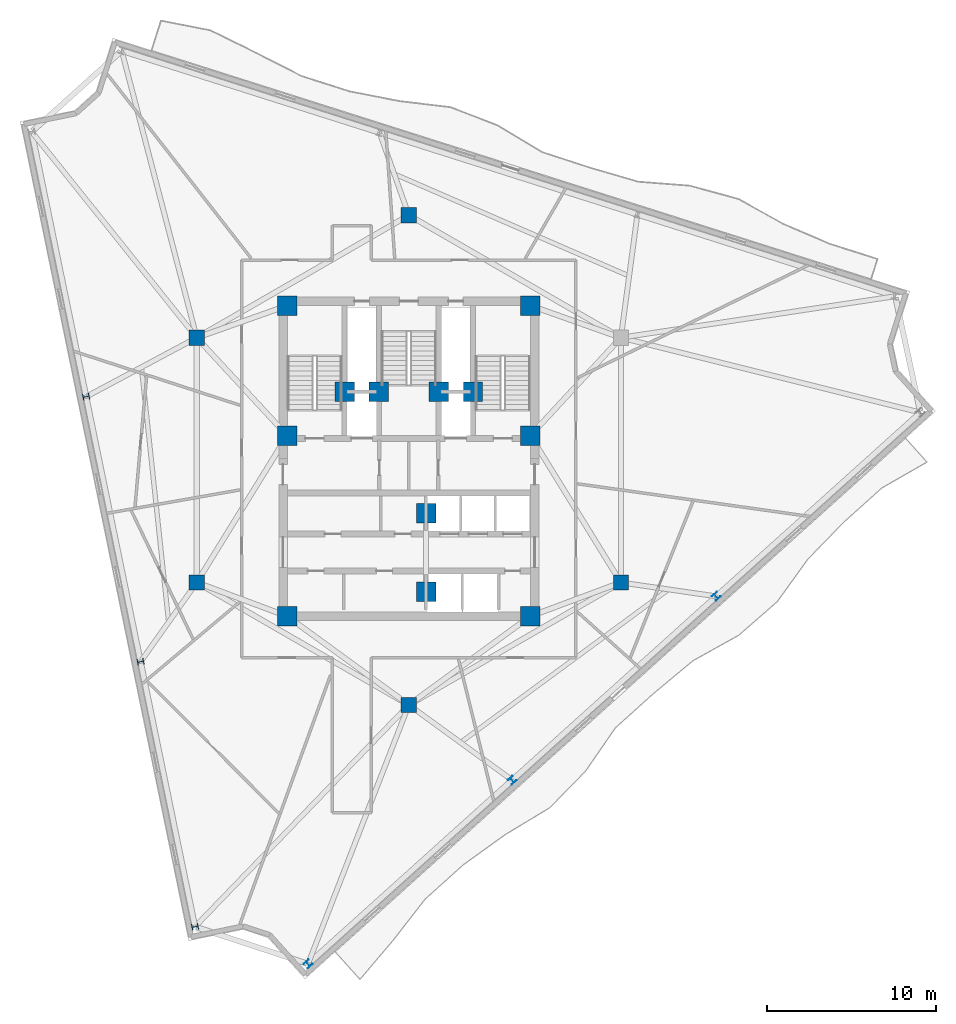
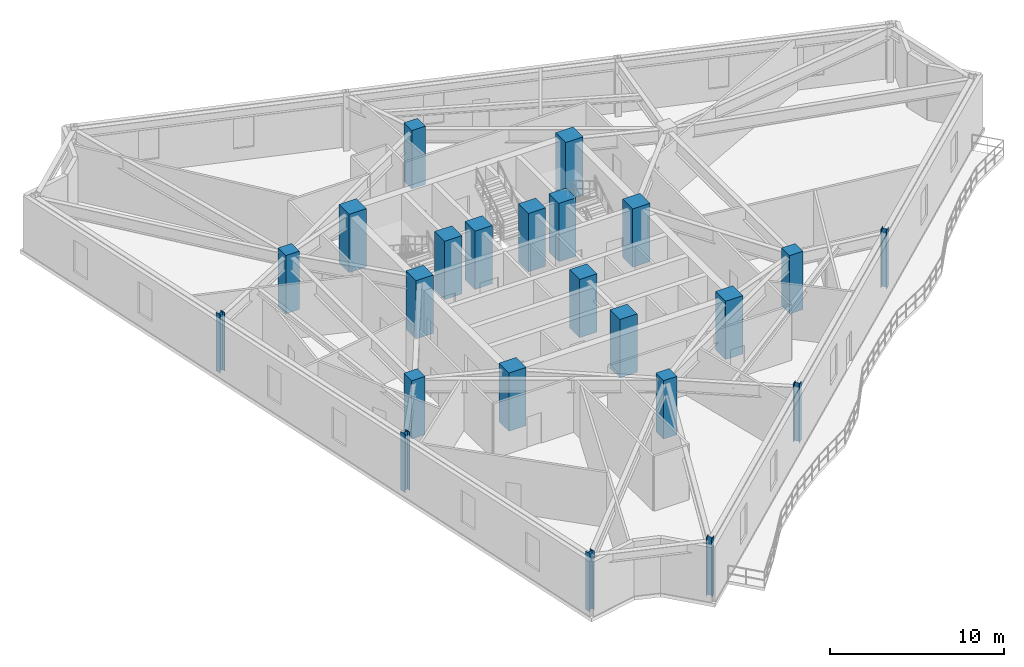
# One storey, part 1 of 11: 23 columns.
"""IFC4 building model written with IfcOpenShell, lengths in metres."""

import ifcopenshell
import ifcopenshell.guid

model = None  # the IFC model being written
_history = None  # IfcOwnerHistory: only IFC2X3 demands one
_inside = {}  # id of a spatial element -> (the spatial element, [elements in it])
_under = {}  # id of a project, library or spatial element -> (it, [spatial elements below it])
_declared = {}  # id of a project -> (the project, [libraries it declares])
_typed = {}  # id of a type object -> (the type object, [elements of that type])
_made_of = {}  # id of a material, layer set ... -> (it, [elements and type objects made of it])


def new_model(schema):
    """Start an empty IFC model of exactly this schema.

    Asked for "IFC4X3", IfcOpenShell would pick the latest addendum, in which some entities
    have other attributes; the version numbers below select the first issue.
    IFC2X3 requires an IfcOwnerHistory on every rooted entity: one is made here for all.
    """
    global model, _history
    if schema == "IFC4X3":
        model = ifcopenshell.file(schema_version=(4, 3, 0, 0))
    else:
        model = ifcopenshell.file(schema=schema)
    _inside.clear()
    _under.clear()
    _declared.clear()
    _typed.clear()
    _made_of.clear()
    _history = None
    if model.schema == "IFC2X3":
        org = make("IfcOrganization", Name="unknown")
        user = make(
            "IfcPersonAndOrganization",
            ThePerson=make("IfcPerson", FamilyName="unknown"),
            TheOrganization=org,
        )
        app = make(
            "IfcApplication",
            ApplicationDeveloper=org,
            Version="unknown",
            ApplicationFullName="unknown",
            ApplicationIdentifier="unknown",
        )
        _history = make(
            "IfcOwnerHistory",
            OwningUser=user,
            OwningApplication=app,
            ChangeAction="ADDED",
            CreationDate=0,
        )
    return model


def make(cls, **values):
    """One entity of the class cls with the attributes given. An attribute that is None is left unset."""
    return model.create_entity(
        cls, **{name: value for name, value in values.items() if value is not None}
    )


def rooted(cls, **values):
    """An entity with a GlobalId (a new one), such as an element, a storey or a relation."""
    return make(cls, GlobalId=ifcopenshell.guid.new(), OwnerHistory=_history, **values)


def si_unit(unit_type, name, prefix=None):
    """IfcSIUnit, for example si_unit("LENGTHUNIT", "METRE", prefix="MILLI")."""
    return make("IfcSIUnit", UnitType=unit_type, Prefix=prefix, Name=name)


def assignment(units):
    """IfcUnitAssignment: the units of a project."""
    return None if units is None else make("IfcUnitAssignment", Units=units)


def point(xyz):
    """IfcCartesianPoint."""
    return None if xyz is None else make("IfcCartesianPoint", Coordinates=xyz)


def direction(xyz):
    """IfcDirection."""
    return None if xyz is None else make("IfcDirection", DirectionRatios=xyz)


def frame(location, z_axis=None, x_axis=None):
    """IfcAxis2Placement3D, a coordinate frame: its origin and axes. An axis left out is left unset."""
    return make(
        "IfcAxis2Placement3D",
        Location=point(location),
        Axis=direction(z_axis),
        RefDirection=direction(x_axis),
    )


def frame_2d(location, x_axis=None):
    """IfcAxis2Placement2D, a coordinate frame in the plane: its origin and x axis."""
    return make(
        "IfcAxis2Placement2D", Location=point(location), RefDirection=direction(x_axis)
    )


def origin():
    """The frame at (0, 0, 0) with its axes left unset."""
    return frame((0.0, 0.0, 0.0))


def origin_2d():
    """The frame at (0, 0) in the plane with its x axis left unset."""
    return frame_2d((0.0, 0.0))


def place(relative_to, where):
    """IfcLocalPlacement: puts the frame where relative to a parent placement (None: the world)."""
    return make(
        "IfcLocalPlacement", PlacementRelTo=relative_to, RelativePlacement=where
    )


def context(
    kind, dimensions, precision=None, world=None, true_north=None, identifier=None
):
    """IfcGeometricRepresentationContext, for example the 3D "Model" context."""
    return make(
        "IfcGeometricRepresentationContext",
        ContextIdentifier=identifier,
        ContextType=kind,
        CoordinateSpaceDimension=dimensions,
        Precision=precision,
        WorldCoordinateSystem=world,
        TrueNorth=true_north,
    )


def subcontext(parent, identifier, kind, view, scale=None):
    """IfcGeometricRepresentationSubContext, for example "Body" below "Model"."""
    return make(
        "IfcGeometricRepresentationSubContext",
        ContextIdentifier=identifier,
        ContextType=kind,
        ParentContext=parent,
        TargetScale=scale,
        TargetView=view,
    )


def project(units=None, contexts=None):
    """IfcProject with its units and contexts."""
    return rooted(
        "IfcProject",
        Name="project",
        RepresentationContexts=contexts,
        UnitsInContext=assignment(units),
    )


def spatial(cls, under=None, at=None, **own):
    """A site, building, storey or space (cls), placed at a placement, below another one or the project."""
    s = rooted(cls, ObjectPlacement=at, **own)
    if under is not None:
        _under.setdefault(under.id(), (under, []))[1].append(s)
    return s


def profile(cls, at=None, kind="AREA", **sizes):
    """A parametric profile (cls). Its sizes go by their IFC names, for example OverallWidth=200.0."""
    return make(cls, ProfileType=kind, Position=at, **sizes)


def rectangle(**sizes):
    """IfcRectangleProfileDef."""
    return profile("IfcRectangleProfileDef", **sizes)


def i_section(**sizes):
    """IfcIShapeProfileDef."""
    return profile("IfcIShapeProfileDef", **sizes)


def extrude(swept, where, along, depth):
    """IfcExtrudedAreaSolid: the profile swept, set in the frame where, extruded along a direction by depth."""
    return make(
        "IfcExtrudedAreaSolid",
        SweptArea=swept,
        Position=where,
        ExtrudedDirection=direction(along),
        Depth=depth,
    )


def shape(context_of_items, identifier, shape_type, items):
    """IfcShapeRepresentation: the items that make up one representation, for example the "Body"."""
    return make(
        "IfcShapeRepresentation",
        ContextOfItems=context_of_items,
        RepresentationIdentifier=identifier,
        RepresentationType=shape_type,
        Items=items,
    )


def material(Name=None, Category=None):
    """IfcMaterial."""
    return make("IfcMaterial", Name=Name, Category=Category)


def material_profile(
    of_material, cross_section, Name=None, Category=None, Priority=None
):
    """IfcMaterialProfile: a cross section and its material."""
    return make(
        "IfcMaterialProfile",
        Name=Name,
        Material=of_material,
        Profile=cross_section,
        Priority=Priority,
        Category=Category,
    )


def profile_set(profiles, Name=None, composite=None):
    """IfcMaterialProfileSet."""
    return make(
        "IfcMaterialProfileSet",
        Name=Name,
        MaterialProfiles=profiles,
        CompositeProfile=composite,
    )


def made_of(thing, what):
    """Note that an element or type object is made of a material, layer set ...; save() writes the relation."""
    if what is not None:
        _made_of.setdefault(what.id(), (what, []))[1].append(thing)
    return thing


def type_object(cls, material=None, **own):
    """A type object (cls), such as IfcWallType, which elements share."""
    return made_of(rooted(cls, **own), material)


def element(
    cls,
    number,
    at=None,
    inside=None,
    cuts=None,
    type_object=None,
    material=None,
    context=None,
    identifier="Body",
    shape_type=None,
    held_by="IfcProductDefinitionShape",
    body=None,
    shapes=None,
    **own,
):
    """One element of the class cls, such as IfcWall. Its Tag is "e" and its number.

    at: its placement. inside: the storey or other place that contains it. cuts: it is an
    opening in that element (IfcRelVoidsElement). A single representation is given by context,
    identifier, shape_type and body (its items); several are given by shapes. held_by: the class
    of the entity that holds the representations. save() writes the other relations.
    """
    e = rooted(cls, Tag="e%d" % number, ObjectPlacement=at, **own)
    if body is not None:
        shapes = [shape(context, identifier, shape_type, body)]
    if shapes is not None:
        e.Representation = make(held_by, Representations=shapes)
    if inside is not None:
        _inside.setdefault(inside.id(), (inside, []))[1].append(e)
    if cuts is not None:
        rooted(
            "IfcRelVoidsElement", RelatingBuildingElement=cuts, RelatedOpeningElement=e
        )
    if type_object is not None:
        _typed.setdefault(type_object.id(), (type_object, []))[1].append(e)
    return made_of(e, material)


def aggregate(whole, parts):
    """IfcRelAggregates: a whole, such as a stair, and the parts it consists of."""
    return rooted("IfcRelAggregates", RelatingObject=whole, RelatedObjects=parts)


def save(model, path):
    """Write the relations noted so far, then the file.

    IfcRelAggregates (storeys below a building ...), IfcRelContainedInSpatialStructure (elements
    in a storey), IfcRelDefinesByType, IfcRelAssociatesMaterial and IfcRelDeclares: one each for
    every whole, place, type object, material and project.
    """
    for whole, parts in _under.values():
        aggregate(whole, parts)
    for where, things in _inside.values():
        rooted(
            "IfcRelContainedInSpatialStructure",
            RelatedElements=things,
            RelatingStructure=where,
        )
    for kind, things in _typed.values():
        rooted("IfcRelDefinesByType", RelatedObjects=things, RelatingType=kind)
    for what, things in _made_of.values():
        rooted("IfcRelAssociatesMaterial", RelatedObjects=things, RelatingMaterial=what)
    for by, libraries in _declared.values():
        rooted("IfcRelDeclares", RelatingContext=by, RelatedDefinitions=libraries)
    model.write(path)


model = new_model("IFC4")

# Units and contexts
model_context = context("Model", 3, precision=1e-05, world=origin(), true_north=direction((0.0, 1.0)))
body_context = subcontext(model_context, "Body", "Model", "MODEL_VIEW")
ifc_project = project(units=[si_unit("LENGTHUNIT", "METRE"), si_unit("AREAUNIT", "SQUARE_METRE"), si_unit("VOLUMEUNIT", "CUBIC_METRE"), si_unit("PLANEANGLEUNIT", "RADIAN"), si_unit("MASSUNIT", "GRAM", prefix="KILO")], contexts=[model_context])

# Site, building, storey
site_placement = place(None, origin())
site = spatial("IfcSite", under=ifc_project, at=site_placement, CompositionType="ELEMENT")
building_placement = place(site_placement, origin())
building = spatial("IfcBuilding", under=site, at=building_placement, Name="Apsidion Concourse Tower", CompositionType="ELEMENT")
storey_placement = place(building_placement, frame((0.0, 0.0, 236.300048828125)))
storey = spatial("IfcBuildingStorey", under=building, at=storey_placement, Name="L55", CompositionType="ELEMENT", Elevation=236.300048828125)

# Columns
ifc_material_1 = material(Name="Concrete C50/60", Category="concrete")
ifc_material_profile_1 = material_profile(ifc_material_1, rectangle(XDim=1.14990234375, YDim=1.14990234375, at=origin_2d()), Name="RC 1150x1150")
ifc_profile_set_1 = profile_set([ifc_material_profile_1], Name="Concrete C50/60")
column_type_1 = type_object("IfcColumnType", Name="COL-RC-1150", PredefinedType="COLUMN", material=ifc_profile_set_1)
for number, where, z_axis, x_axis, name in (
    (1, (-7.199951171875, -9.25, 0.0), (0.0, 0.0, 1.0), (1.0, 0.0, 0.0), "L55 Core Super-Column SC1"),
    (2, (7.199951171875, -9.25, 0.0), (0.0, 0.0, 1.0), (1.0, 0.0, 0.0), "L55 Core Super-Column SC2"),
    (3, (7.199951171875, 1.449951171875, 0.0), (0.0, 0.0, 1.0), (1.0, 0.0, 0.0), "L55 Core Super-Column SC3"),
    (4, (7.199951171875, 9.14990234375, 0.0), (0.0, 0.0, 1.0), (1.0, 0.0, 0.0), "L55 Core Super-Column SC4"),
    (5, (-7.199951171875, 9.14990234375, 0.0), (0.0, 0.0, 1.0), (1.0, 0.0, 0.0), "L55 Core Super-Column SC5"),
    (6, (-7.199951171875, 1.449951171875, 0.0), (0.0, 0.0, 1.0), (1.0, 0.0, 0.0), "L55 Core Super-Column SC6"),
    (7, (-3.800048828125, 4.050048828125, 0.0), (0.0, 0.0, 1.0), (1.0, 0.0, 0.0), "L55 Core Super-Column CC1"),
    (8, (3.800048828125, 4.050048828125, 0.0), (0.0, 0.0, 1.0), (1.0, 0.0, 0.0), "L55 Core Super-Column CC2"),
    (9, (-1.77490234375, 4.050048828125, 0.0), (0.0, 0.0, 1.0), (1.0, 0.0, 0.0), "L55 Core Super-Column CC3"),
    (10, (1.77490234375, 4.050048828125, 0.0), (0.0, 0.0, 1.0), (1.0, 0.0, 0.0), "L55 Core Super-Column CC4"),
    (11, (1.02490234375, -3.14990234375, 0.0), (0.0, 0.0, 1.0), (1.0, 0.0, 0.0), "L55 Core Super-Column CC5"),
    (12, (1.02490234375, -7.800048828125, 0.0), (0.0, 0.0, 1.0), (1.0, 0.0, 0.0), "L55 Core Super-Column CC6"),
):
    element("IfcColumn", number, at=place(storey_placement, frame(where, z_axis=z_axis, x_axis=x_axis)), inside=storey, type_object=column_type_1, Name=name, PredefinedType="COLUMN", context=body_context, shape_type="SweptSolid", body=[
        extrude(rectangle(XDim=1.14990234375, YDim=1.14990234375, at=origin_2d()), origin(), (0.0, 0.0, 1.0), 4.099853515625),
    ])
ifc_material_profile_2 = material_profile(ifc_material_1, rectangle(XDim=0.89990234375, YDim=0.89990234375, at=origin_2d()), Name="RC 900x900")
ifc_profile_set_2 = profile_set([ifc_material_profile_2], Name="Concrete C50/60")
column_type_2 = type_object("IfcColumnType", Name="COL-RC-900", PredefinedType="COLUMN", material=ifc_profile_set_2)
for number, where, z_axis, x_axis, name in (
    (13, (-12.56005859375, -7.25, 0.0), (0.0, 0.0, 1.0), (1.0, 0.0, 0.0), "L55 Interior Spine Column IC1"),
    (14, (12.56005859375, -7.25, 0.0), (0.0, 0.0, 1.0), (1.0, 0.0, 0.0), "L55 Interior Spine Column IC2"),
    (15, (0.0, 14.5, 0.0), (0.0, 0.0, 1.0), (1.0, 0.0, 0.0), "L55 Interior Spine Column IC4"),
    (16, (-12.56005859375, 7.25, 0.0), (0.0, 0.0, 1.0), (1.0, 0.0, 0.0), "L55 Interior Spine Column IC5"),
    (17, (0.0, -14.5, 0.0), (0.0, 0.0, 1.0), (1.0, 0.0, 0.0), "L55 Interior Spine Column IC6"),
):
    element("IfcColumn", number, at=place(storey_placement, frame(where, z_axis=z_axis, x_axis=x_axis)), inside=storey, type_object=column_type_2, Name=name, PredefinedType="COLUMN", context=body_context, shape_type="SweptSolid", body=[
        extrude(rectangle(XDim=0.89990234375, YDim=0.89990234375, at=origin_2d()), origin(), (0.0, 0.0, 1.0), 4.099853515625),
    ])
ifc_material_2 = material(Name="Structural steel ASTM A992 Grade 50", Category="steel")
ifc_material_profile_3 = material_profile(ifc_material_2, i_section(OverallWidth=0.373046875, OverallDepth=0.373046875, WebThickness=0.016357421875, FlangeThickness=0.026123046875, at=origin_2d()), Name="W14X132")
ifc_profile_set_3 = profile_set([ifc_material_profile_3], Name="Structural steel ASTM A992 Grade 50")
column_type_3 = type_object("IfcColumnType", Name="COL-W14-132", PredefinedType="COLUMN", material=ifc_profile_set_3)
for number, where, z_axis, x_axis, name in (
    (18, (-19.11279296875, 3.75146484375, 0.0), (0.0, 0.0, 1.0), (-0.201248886216, 0.979540139962, 0.0), "L55 Rotated Perimeter Column PC02"),
    (19, (-15.888671875, -11.94384765625, 0.0), (0.0, 0.0, 1.0), (-0.201248886216, 0.979540139962, 0.0), "L55 Rotated Perimeter Column PC03"),
    (20, (-12.664306640625, -27.63916015625, 0.0), (0.0, 0.0, 1.0), (-0.201248886216, 0.979540139962, 0.0), "L55 Rotated Perimeter Column PC04"),
    (21, (-5.967529296875, -29.840087890625, 0.0), (0.0, 0.0, 1.0), (0.743144825477, 0.669130606359, 0.0), "L55 Rotated Perimeter Column PC05"),
    (22, (6.121826171875, -18.954833984375, 0.0), (0.0, 0.0, 1.0), (0.743144825477, 0.669130606359, 0.0), "L55 Rotated Perimeter Column PC06"),
    (23, (18.211181640625, -8.069580078125, 0.0), (0.0, 0.0, 1.0), (0.743144825477, 0.669130606359, 0.0), "L55 Rotated Perimeter Column PC07"),
):
    element("IfcColumn", number, at=place(storey_placement, frame(where, z_axis=z_axis, x_axis=x_axis)), inside=storey, type_object=column_type_3, Name=name, PredefinedType="COLUMN", context=body_context, shape_type="SweptSolid", body=[
        extrude(i_section(OverallWidth=0.373046875, OverallDepth=0.373046875, WebThickness=0.016357421875, FlangeThickness=0.026123046875, at=origin_2d()), origin(), (0.0, 0.0, 1.0), 4.099853515625),
    ])

save(model, "model.ifc")
